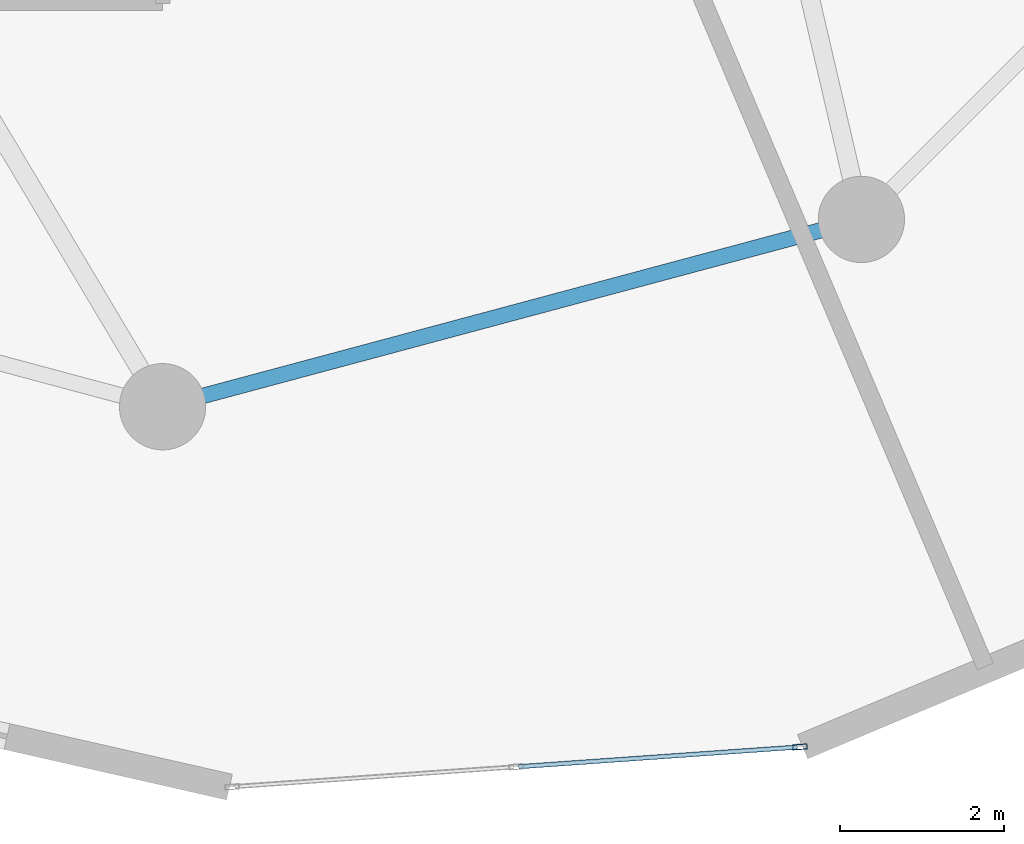
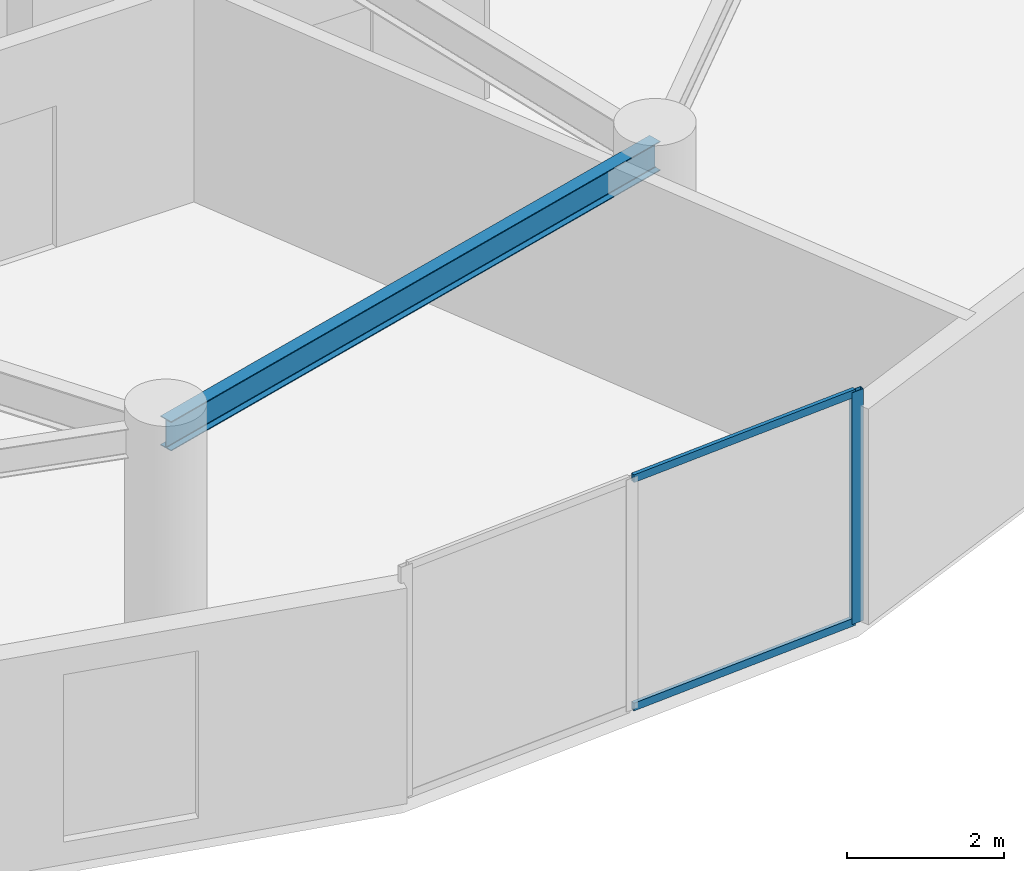
# One storey, part 4 of 25: 3 members, 1 beam, 1 element without a shape of its own.
"""IFC4 building model written with IfcOpenShell, lengths in metres."""

from ifc_helpers import new_model, si_unit, direction, frame, origin, origin_2d, place, context, subcontext, project, spatial, hollow_rectangle, i_section, extrude, source, transform, mapped, material, layer, layer_set, material_profile, profile_set, type_object, element, aggregate, save


model = new_model("IFC4")

# Units and contexts
model_context = context("Model", 3, precision=1e-05, world=origin(), true_north=direction((0.0, 1.0)))
body_context = subcontext(model_context, "Body", "Model", "MODEL_VIEW")
ifc_project = project(units=[si_unit("LENGTHUNIT", "METRE"), si_unit("AREAUNIT", "SQUARE_METRE"), si_unit("VOLUMEUNIT", "CUBIC_METRE"), si_unit("PLANEANGLEUNIT", "RADIAN"), si_unit("MASSUNIT", "GRAM", prefix="KILO")], contexts=[model_context])

# Site, building, storey
site_placement = place(None, origin())
site = spatial("IfcSite", under=ifc_project, at=site_placement, CompositionType="ELEMENT")
building_placement = place(site_placement, origin())
building = spatial("IfcBuilding", under=site, at=building_placement, Name="Solvirekh Grand Hotel", CompositionType="ELEMENT")
storey_placement = place(building_placement, frame((0.0, 0.0, 120.60009765625)))
storey = spatial("IfcBuildingStorey", under=building, at=storey_placement, Name="L30", CompositionType="ELEMENT", Elevation=120.60009765625)

# Beam
ifc_material_1 = material(Name="Steel S355", Category="steel")
ifc_material_profile_1 = material_profile(ifc_material_1, i_section(OverallWidth=0.18994140625, OverallDepth=0.45703125, WebThickness=0.009033203125, FlangeThickness=0.013916015625, FilletRadius=0.012939453125, at=origin_2d()), Name="W460X74")
ifc_profile_set_1 = profile_set([ifc_material_profile_1], Name="Steel S355")
beam_type = type_object("IfcBeamType", Name="Spandrel_Ring_W460", PredefinedType="SPANDREL", material=ifc_profile_set_1)
beam_placement = place(storey_placement, frame((0.0, -17.0, 3.121826171875), z_axis=(0.965911391906, 0.258872908946, 0.0), x_axis=(-0.258872908946, 0.965911391906, 0.0)))
element("IfcBeam", 1, at=beam_placement, inside=storey, type_object=beam_type, Name="L30 perimeter spandrel beam 10", PredefinedType="SPANDREL", context=body_context, shape_type="SweptSolid", body=[
    extrude(i_section(OverallWidth=0.18994140625, OverallDepth=0.45703125, WebThickness=0.009033203125, FlangeThickness=0.013916015625, FilletRadius=0.012939453125, at=origin_2d()), origin(), (0.0, 0.0, 1.0), 8.800048828125),
])

# Curtain wall, members
ifc_material_2 = material(Name="Anodized Bronze Aluminium 6063-T6", Category="aluminium")
ifc_layer = layer(ifc_material_2, 0.175048828125)
ifc_layer_set = layer_set([ifc_layer], Name="Anodized Bronze Aluminium 6063-T6")
curtain_wall_type = type_object("IfcCurtainWallType", Name="CW_Sys3_MidZoneFlushBronzeCW", PredefinedType="NOTDEFINED", material=ifc_layer_set)
curtain_wall_placement = place(storey_placement, origin())
curtain_wall = element("IfcCurtainWall", 2, at=curtain_wall_placement, inside=storey, type_object=curtain_wall_type, Name="L30 unitised bronze-glass curtain wall CW-L30-C18", PredefinedType="NOTDEFINED")
ifc_material_profile_2 = material_profile(ifc_material_2, hollow_rectangle(XDim=0.06494140625, YDim=0.175048828125, WallThickness=0.0048828125, at=origin_2d()), Name="ALU RHS 175X65X5")
ifc_profile_set_2 = profile_set([ifc_material_profile_2], Name="Anodized Bronze Aluminium 6063-T6")
member_type_1 = type_object("IfcMemberType", Name="CWMullion_Sys3", PredefinedType="MULLION", material=ifc_profile_set_2)
shared_shape_1 = source(origin(), body_context, "Body", "SweptSolid", [
    extrude(hollow_rectangle(XDim=0.06494140625, YDim=0.175048828125, WallThickness=0.0048828125, at=origin_2d()), origin(), (0.0, 0.0, 1.0), 3.599853515625),
])
member_1_placement = place(storey_placement, frame((7.752685546875, -21.13818359375, 0.0), z_axis=(0.0, 0.0, 1.0), x_axis=(-0.070250562862, 0.99752937722, 0.0)))
member_1 = element("IfcMember", 3, at=member_1_placement, type_object=member_type_1, Name="U03 mullion 3", PredefinedType="MULLION", context=body_context, shape_type="MappedRepresentation", body=[
    mapped(shared_shape_1, transform((0.0, 0.0, 0.0), x_axis=(1.0, 0.0, 0.0), y_axis=(0.0, 1.0, 0.0), z_axis=(0.0, 0.0, 1.0), scale=1.0)),
])
ifc_material_profile_3 = material_profile(ifc_material_2, hollow_rectangle(XDim=0.054931640625, YDim=0.1201171875, WallThickness=0.00390625, at=origin_2d()), Name="ALU RHS 120X55X4")
ifc_profile_set_3 = profile_set([ifc_material_profile_3], Name="Anodized Bronze Aluminium 6063-T6")
member_type_2 = type_object("IfcMemberType", Name="CWTransom_Sys3", PredefinedType="USERDEFINED", material=ifc_profile_set_3)
shared_shape_2 = source(origin(), body_context, "Body", "SweptSolid", [
    extrude(hollow_rectangle(XDim=0.054931640625, YDim=0.1201171875, WallThickness=0.00390625, at=origin_2d()), origin(), (0.0, 0.0, 1.0), 3.397216796875),
])
member_2_placement = place(storey_placement, frame((4.331298828125, -21.379150390625, 0.02734375), z_axis=(0.997532212924, 0.070210285428, 0.0), x_axis=(-0.070210285428, 0.997532212924, 0.0)))
member_2 = element("IfcMember", 4, at=member_2_placement, type_object=member_type_2, Name="U03 transom 2.1", ObjectType="TRANSOM", PredefinedType="USERDEFINED", context=body_context, shape_type="MappedRepresentation", body=[
    mapped(shared_shape_2, transform((0.0, 0.0, 0.0), x_axis=(1.0, 0.0, 0.0), y_axis=(0.0, 1.0, 0.0), z_axis=(0.0, 0.0, 1.0), scale=1.0)),
])
member_3_placement = place(storey_placement, frame((4.331298828125, -21.379150390625, 3.572509765625), z_axis=(0.997532212924, 0.070210285428, 0.0), x_axis=(-0.070210285428, 0.997532212924, 0.0)))
member_3 = element("IfcMember", 5, at=member_3_placement, type_object=member_type_2, Name="U03 transom 2.2", ObjectType="TRANSOM", PredefinedType="USERDEFINED", context=body_context, shape_type="MappedRepresentation", body=[
    mapped(shared_shape_2, transform((0.0, 0.0, 0.0), x_axis=(1.0, 0.0, 0.0), y_axis=(0.0, 1.0, 0.0), z_axis=(0.0, 0.0, 1.0), scale=1.0)),
])
aggregate(curtain_wall, [member_1, member_2, member_3])

save(model, "model.ifc")
